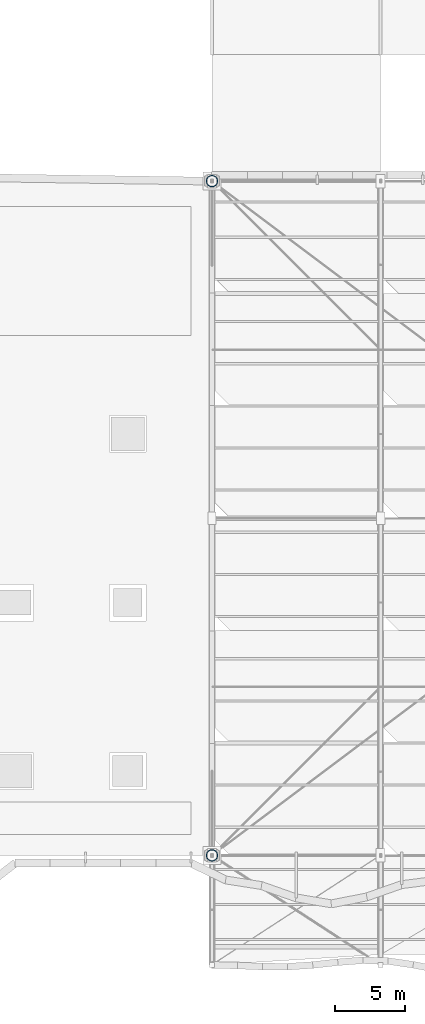
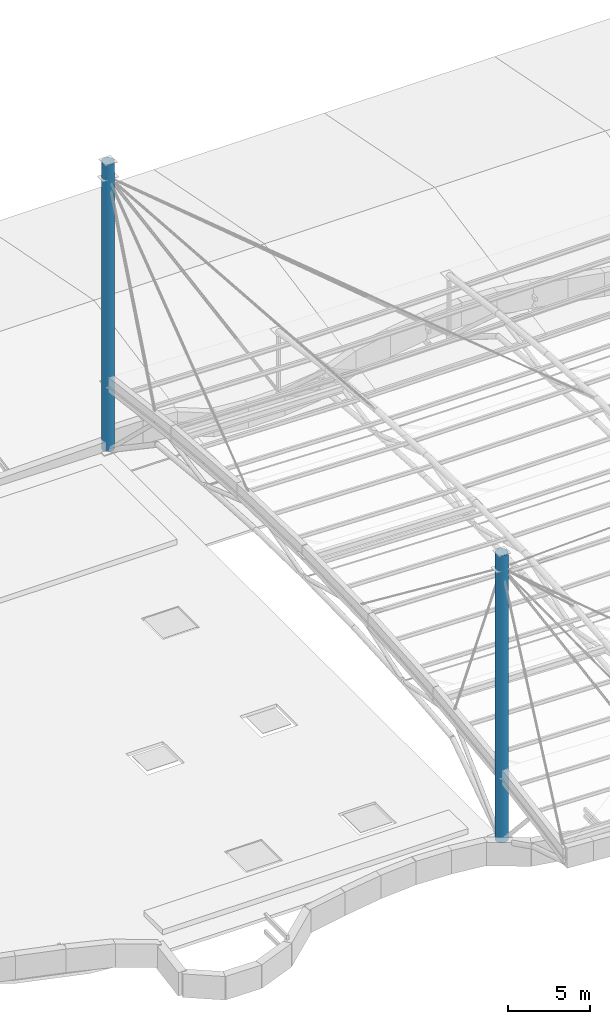
# One storey, part 1 of 29: 2 columns.
"""IFC4 building model written with IfcOpenShell, lengths in metres."""

from ifc_helpers import new_model, si_unit, direction, frame, origin, origin_2d, place, context, subcontext, project, spatial, hollow_circle, extrude, material, material_profile, profile_set, type_object, element, save


model = new_model("IFC4")

# Units and contexts
model_context = context("Model", 3, precision=1e-05, world=origin(), true_north=direction((0.0, 1.0)))
body_context = subcontext(model_context, "Body", "Model", "MODEL_VIEW")
ifc_project = project(units=[si_unit("LENGTHUNIT", "METRE"), si_unit("AREAUNIT", "SQUARE_METRE"), si_unit("VOLUMEUNIT", "CUBIC_METRE"), si_unit("PLANEANGLEUNIT", "RADIAN"), si_unit("MASSUNIT", "GRAM", prefix="KILO")], contexts=[model_context])

# Site, building, storey
site_placement = place(None, origin())
site = spatial("IfcSite", under=ifc_project, at=site_placement, CompositionType="ELEMENT")
building_placement = place(site_placement, origin())
building = spatial("IfcBuilding", under=site, at=building_placement, Name="Keelwater Ferry Terminal", CompositionType="ELEMENT")
storey_placement = place(building_placement, frame((0.0, 0.0, 27.89990234375)))
storey = spatial("IfcBuildingStorey", under=building, at=storey_placement, Name="RF", CompositionType="ELEMENT", Elevation=27.89990234375)

# Columns
ifc_material_1 = material(Name="Steel S355", Category="steel")
ifc_material_profile_1 = material_profile(ifc_material_1, hollow_circle(Radius=0.406494140625, WallThickness=0.02490234375, at=origin_2d()), Name="CHS 813x25")
ifc_profile_set_1 = profile_set([ifc_material_profile_1], Name="Steel S355")
column_type_1 = type_object("IfcColumnType", Name="ML1 CHS 813x25", PredefinedType="COLUMN", material=ifc_profile_set_1)
column_1_placement = place(storey_placement, frame((48.0, 42.0, -12.89990234375), z_axis=(0.0, 0.0, 1.0), x_axis=(1.0, 0.0, 0.0)))
element("IfcColumn", 1, at=column_1_placement, inside=storey, type_object=column_type_1, Name="Roof Mast ML1", PredefinedType="COLUMN", context=body_context, shape_type="SweptSolid", body=[
    extrude(hollow_circle(Radius=0.406494140625, WallThickness=0.02490234375, at=origin_2d()), origin(), (0.0, 0.0, 1.0), 21.364990234375),
])
ifc_material_2 = material(Name="Steel S355", Category="steel")
ifc_material_profile_2 = material_profile(ifc_material_2, hollow_circle(Radius=0.406494140625, WallThickness=0.02490234375, at=origin_2d()), Name="CHS 813x25")
ifc_profile_set_2 = profile_set([ifc_material_profile_2], Name="Steel S355")
column_type_2 = type_object("IfcColumnType", Name="ML2 CHS 813x25", PredefinedType="COLUMN", material=ifc_profile_set_2)
column_2_placement = place(storey_placement, frame((48.0, 90.0, -12.89990234375), z_axis=(0.0, 0.0, 1.0), x_axis=(1.0, 0.0, 0.0)))
element("IfcColumn", 2, at=column_2_placement, inside=storey, type_object=column_type_2, Name="Roof Mast ML2", PredefinedType="COLUMN", context=body_context, shape_type="SweptSolid", body=[
    extrude(hollow_circle(Radius=0.406494140625, WallThickness=0.02490234375, at=origin_2d()), origin(), (0.0, 0.0, 1.0), 21.364990234375),
])

save(model, "model.ifc")
